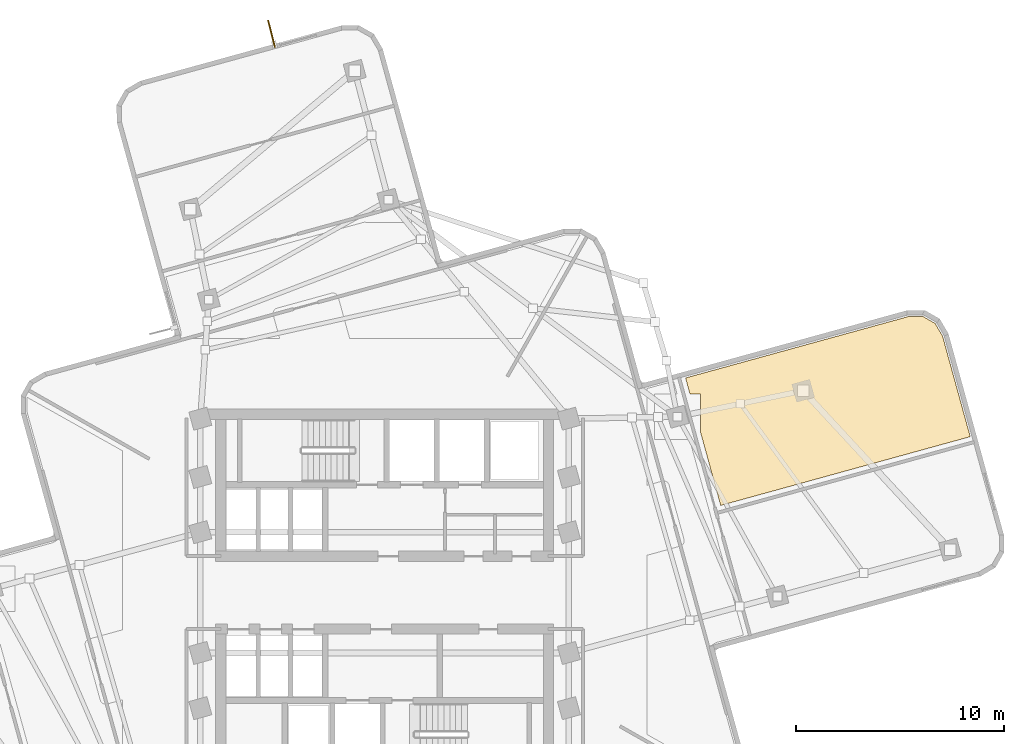
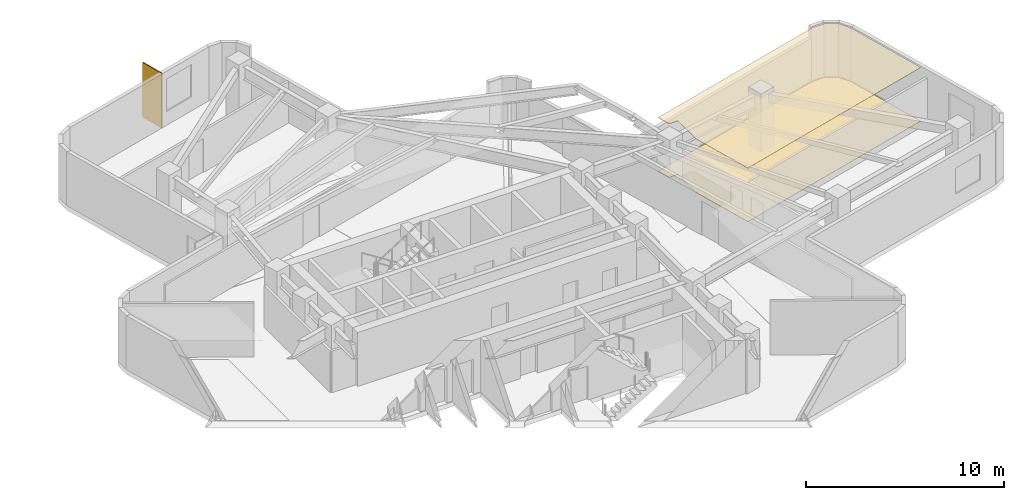
# One storey, part 8 of 8: 2 coverings, 1 shading device.
"""IFC4 building model written with IfcOpenShell, lengths in metres."""

from ifc_helpers import new_model, si_unit, direction, frame, origin, origin_2d, place, context, subcontext, project, spatial, polyline, rectangle, outline, extrude, material, layer, layer_set, type_object, element, save


model = new_model("IFC4")

# Units and contexts
model_context = context("Model", 3, precision=1e-05, world=origin(), true_north=direction((0.0, 1.0)))
body_context = subcontext(model_context, "Body", "Model", "MODEL_VIEW")
ifc_project = project(units=[si_unit("LENGTHUNIT", "METRE"), si_unit("AREAUNIT", "SQUARE_METRE"), si_unit("VOLUMEUNIT", "CUBIC_METRE"), si_unit("PLANEANGLEUNIT", "RADIAN"), si_unit("MASSUNIT", "GRAM", prefix="KILO")], contexts=[model_context])

# Site, building, storey
site_placement = place(None, origin())
site = spatial("IfcSite", under=ifc_project, at=site_placement, CompositionType="ELEMENT")
building_placement = place(site_placement, origin())
building = spatial("IfcBuilding", under=site, at=building_placement, Name="Solmarez Civic Tower", CompositionType="ELEMENT")
storey_placement = place(building_placement, frame((0.0, 0.0, 137.8798828125)))
storey = spatial("IfcBuildingStorey", under=building, at=storey_placement, Name="L36", CompositionType="ELEMENT", Elevation=137.8798828125)

# Coverings
ifc_material_1 = material(Name="Perforated Mineral-Fibre Acoustic Ceiling")
ifc_layer_1 = layer(ifc_material_1, 0.02490234375)
ifc_layer_set_1 = layer_set([ifc_layer_1], Name="Perforated Mineral-Fibre Acoustic Ceiling")
covering_type_1 = type_object("IfcCoveringType", Name="COV-CEIL-ACOUSTIC", PredefinedType="CEILING", material=ifc_layer_set_1)
covering_1_placement = place(storey_placement, frame((0.0, 0.0, 3.295166015625)))
element("IfcCovering", 1, at=covering_1_placement, inside=storey, type_object=covering_type_1, Name="L36 Suspended Acoustic Ceiling 5", PredefinedType="CEILING", context=body_context, shape_type="SweptSolid", body=[
    extrude(outline(polyline([(28.12109375, 7.487060546875), (26.791015625, 12.318115234375), (26.431884765625, 12.927978515625), (25.85205078125, 13.258056640625), (25.14306640625, 13.2529296875), (14.451904296875, 10.306884765625), (14.660888671875, 9.544921875), (15.1640625, 9.544921875), (15.1640625, 7.720947265625), (16.137939453125, 4.18603515625), (28.12109375, 7.487060546875)])), origin(), (0.0, 0.0, 1.0), 0.02490234375),
])
ifc_material_2 = material(Name="Polished Tropical Stone Terrazzo Flooring", Category="masonry")
ifc_layer_2 = layer(ifc_material_2, 0.02001953125)
ifc_layer_set_2 = layer_set([ifc_layer_2], Name="Polished Tropical Stone Terrazzo Flooring")
covering_type_2 = type_object("IfcCoveringType", Name="COV-FLOOR-TERRAZZO", PredefinedType="FLOORING", material=ifc_layer_set_2)
covering_2_placement = place(storey_placement, origin())
element("IfcCovering", 2, at=covering_2_placement, inside=storey, type_object=covering_type_2, Name="L36 Terrazzo Floor Finish 5", PredefinedType="FLOORING", context=body_context, shape_type="SweptSolid", body=[
    extrude(outline(polyline([(28.12109375, 7.487060546875), (26.791015625, 12.318115234375), (26.431884765625, 12.927978515625), (25.85205078125, 13.258056640625), (25.14306640625, 13.2529296875), (14.451904296875, 10.306884765625), (14.660888671875, 9.544921875), (15.1640625, 9.544921875), (15.1640625, 7.720947265625), (16.137939453125, 4.18603515625), (28.12109375, 7.487060546875)])), origin(), (0.0, 0.0, 1.0), 0.02001953125),
])

# Shading device
ifc_material_3 = material(Name="Bronze Anodised Aluminium EN AW-6063 T6", Category="aluminium")
ifc_layer_3 = layer(ifc_material_3, 0.06005859375)
ifc_layer_set_3 = layer_set([ifc_layer_3], Name="Bronze Anodised Aluminium EN AW-6063 T6")
shading_device_type = type_object("IfcShadingDeviceType", Name="FIN-BRONZE-Z34", PredefinedType="USERDEFINED", material=ifc_layer_set_3)
shading_device_placement = place(storey_placement, frame((-5.43408203125, 26.8349609375, -0.0400390625), z_axis=(0.0, 0.0, 1.0), x_axis=(-0.24875750642, 0.968565796939, 0.0)))
element("IfcShadingDevice", 3, at=shading_device_placement, inside=storey, type_object=shading_device_type, Name="L36 Anodised Bronze Solar Fin FIN-L36-04", ObjectType="FIN", PredefinedType="USERDEFINED", context=body_context, shape_type="SweptSolid", body=[
    extrude(rectangle(XDim=1.35009765625, YDim=0.06005859375, at=origin_2d()), origin(), (0.0, 0.0, 1.0), 3.360107421875),
])

save(model, "model.ifc")
